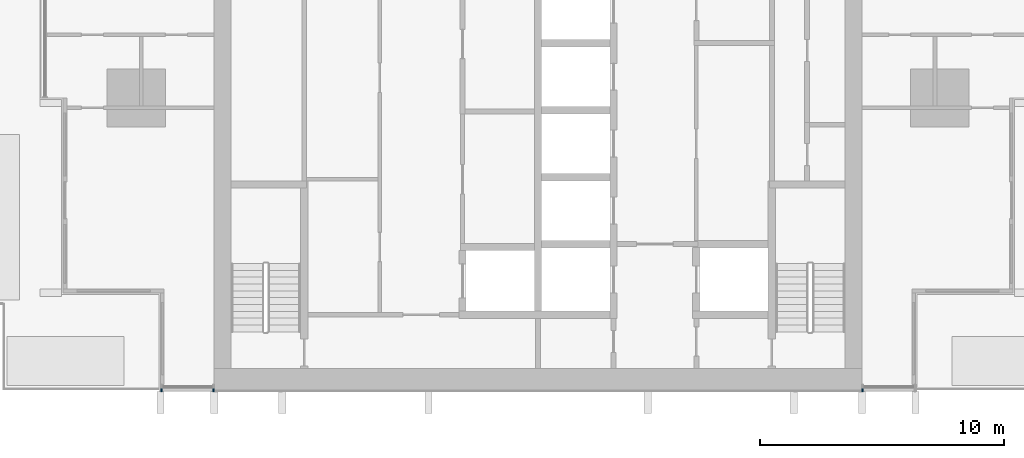
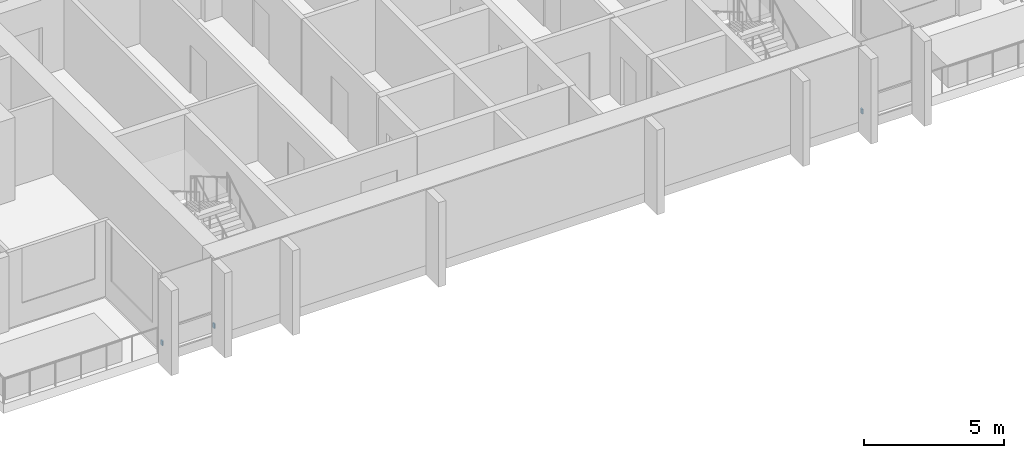
# One storey, part 13 of 18: 3 discrete accessories.
"""IFC4 building model written with IfcOpenShell, lengths in metres."""

from ifc_helpers import new_model, si_unit, direction, frame, origin, origin_2d, place, context, subcontext, project, spatial, rectangle, extrude, material, type_object, element, save


model = new_model("IFC4")

# Units and contexts
model_context = context("Model", 3, precision=1e-05, world=origin(), true_north=direction((0.0, 1.0)))
body_context = subcontext(model_context, "Body", "Model", "MODEL_VIEW")
ifc_project = project(units=[si_unit("LENGTHUNIT", "METRE"), si_unit("AREAUNIT", "SQUARE_METRE"), si_unit("VOLUMEUNIT", "CUBIC_METRE"), si_unit("PLANEANGLEUNIT", "RADIAN"), si_unit("MASSUNIT", "GRAM", prefix="KILO")], contexts=[model_context])

# Site, building, storey
site_placement = place(None, origin())
site = spatial("IfcSite", under=ifc_project, at=site_placement, CompositionType="ELEMENT")
building_placement = place(site_placement, origin())
building = spatial("IfcBuilding", under=site, at=building_placement, Name="Finial Court Residences", CompositionType="ELEMENT")
storey_placement = place(building_placement, frame((0.0, 0.0, 149.300048828125)))
storey = spatial("IfcBuildingStorey", under=building, at=storey_placement, Name="L36", CompositionType="ELEMENT", Elevation=149.300048828125)

# Discrete accessories
ifc_material = material(Name="Stainless steel 316", Category="steel")
discrete_accessory_type = type_object("IfcDiscreteAccessoryType", Name="Fin bracket, stainless steel 60 x 122 x 200", PredefinedType="BRACKET", material=ifc_material)
for number, where, z_axis, x_axis, name in (
    (1, (-15.469970703125, -25.498779296875, 0.2998046875), (0.0, 0.0, 1.0), (1.0, 0.0, 0.0), "E-L36-FIN-S14-BRK"),
    (2, (-13.330078125, -25.498779296875, 0.2998046875), (0.0, 0.0, 1.0), (1.0, 0.0, 0.0), "E-L36-FIN-S15-BRK"),
    (3, (13.330078125, -25.498779296875, 0.2998046875), (0.0, 0.0, 1.0), (1.0, 0.0, 0.0), "E-L36-FIN-S20-BRK"),
):
    element("IfcDiscreteAccessory", number, at=place(storey_placement, frame(where, z_axis=z_axis, x_axis=x_axis)), inside=storey, type_object=discrete_accessory_type, Name=name, PredefinedType="BRACKET", context=body_context, shape_type="SweptSolid", body=[
        extrude(rectangle(XDim=0.06005859375, YDim=0.12255859375, at=origin_2d()), origin(), (0.0, 0.0, 1.0), 0.199951171875),
    ])

save(model, "model.ifc")
